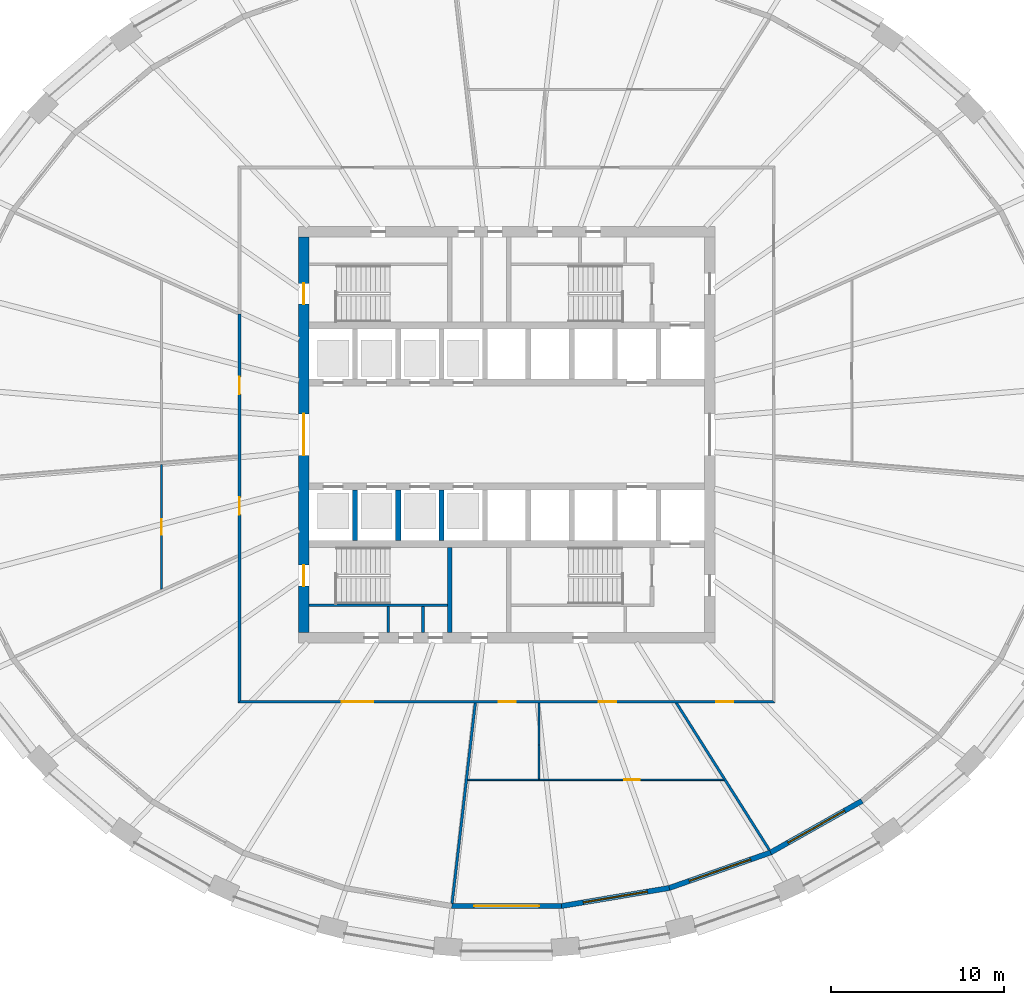
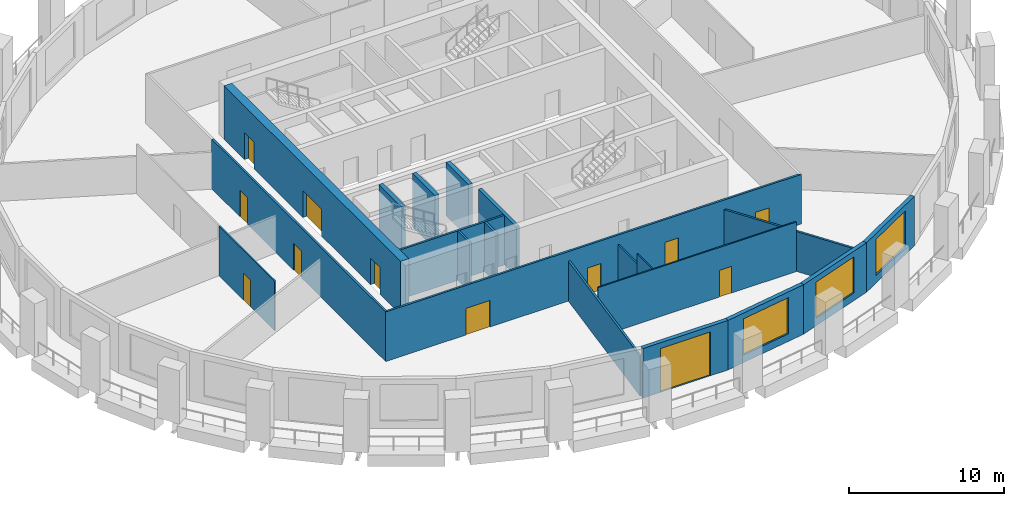
# One storey, part 3 of 10: 20 walls, 12 doors, 3 windows, 15 openings.
"""IFC4 building model written with IfcOpenShell, lengths in metres."""

import ifcopenshell
import ifcopenshell.guid

model = None  # the IFC model being written
_history = None  # IfcOwnerHistory: only IFC2X3 demands one
_inside = {}  # id of a spatial element -> (the spatial element, [elements in it])
_under = {}  # id of a project, library or spatial element -> (it, [spatial elements below it])
_declared = {}  # id of a project -> (the project, [libraries it declares])
_typed = {}  # id of a type object -> (the type object, [elements of that type])
_made_of = {}  # id of a material, layer set ... -> (it, [elements and type objects made of it])


def new_model(schema):
    """Start an empty IFC model of exactly this schema.

    Asked for "IFC4X3", IfcOpenShell would pick the latest addendum, in which some entities
    have other attributes; the version numbers below select the first issue.
    IFC2X3 requires an IfcOwnerHistory on every rooted entity: one is made here for all.
    """
    global model, _history
    if schema == "IFC4X3":
        model = ifcopenshell.file(schema_version=(4, 3, 0, 0))
    else:
        model = ifcopenshell.file(schema=schema)
    _inside.clear()
    _under.clear()
    _declared.clear()
    _typed.clear()
    _made_of.clear()
    _history = None
    if model.schema == "IFC2X3":
        org = make("IfcOrganization", Name="unknown")
        user = make(
            "IfcPersonAndOrganization",
            ThePerson=make("IfcPerson", FamilyName="unknown"),
            TheOrganization=org,
        )
        app = make(
            "IfcApplication",
            ApplicationDeveloper=org,
            Version="unknown",
            ApplicationFullName="unknown",
            ApplicationIdentifier="unknown",
        )
        _history = make(
            "IfcOwnerHistory",
            OwningUser=user,
            OwningApplication=app,
            ChangeAction="ADDED",
            CreationDate=0,
        )
    return model


def make(cls, **values):
    """One entity of the class cls with the attributes given. An attribute that is None is left unset."""
    return model.create_entity(
        cls, **{name: value for name, value in values.items() if value is not None}
    )


def rooted(cls, **values):
    """An entity with a GlobalId (a new one), such as an element, a storey or a relation."""
    return make(cls, GlobalId=ifcopenshell.guid.new(), OwnerHistory=_history, **values)


def si_unit(unit_type, name, prefix=None):
    """IfcSIUnit, for example si_unit("LENGTHUNIT", "METRE", prefix="MILLI")."""
    return make("IfcSIUnit", UnitType=unit_type, Prefix=prefix, Name=name)


def assignment(units):
    """IfcUnitAssignment: the units of a project."""
    return None if units is None else make("IfcUnitAssignment", Units=units)


def point(xyz):
    """IfcCartesianPoint."""
    return None if xyz is None else make("IfcCartesianPoint", Coordinates=xyz)


def direction(xyz):
    """IfcDirection."""
    return None if xyz is None else make("IfcDirection", DirectionRatios=xyz)


def frame(location, z_axis=None, x_axis=None):
    """IfcAxis2Placement3D, a coordinate frame: its origin and axes. An axis left out is left unset."""
    return make(
        "IfcAxis2Placement3D",
        Location=point(location),
        Axis=direction(z_axis),
        RefDirection=direction(x_axis),
    )


def frame_2d(location, x_axis=None):
    """IfcAxis2Placement2D, a coordinate frame in the plane: its origin and x axis."""
    return make(
        "IfcAxis2Placement2D", Location=point(location), RefDirection=direction(x_axis)
    )


def origin():
    """The frame at (0, 0, 0) with its axes left unset."""
    return frame((0.0, 0.0, 0.0))


def place(relative_to, where):
    """IfcLocalPlacement: puts the frame where relative to a parent placement (None: the world)."""
    return make(
        "IfcLocalPlacement", PlacementRelTo=relative_to, RelativePlacement=where
    )


def context(
    kind, dimensions, precision=None, world=None, true_north=None, identifier=None
):
    """IfcGeometricRepresentationContext, for example the 3D "Model" context."""
    return make(
        "IfcGeometricRepresentationContext",
        ContextIdentifier=identifier,
        ContextType=kind,
        CoordinateSpaceDimension=dimensions,
        Precision=precision,
        WorldCoordinateSystem=world,
        TrueNorth=true_north,
    )


def subcontext(parent, identifier, kind, view, scale=None):
    """IfcGeometricRepresentationSubContext, for example "Body" below "Model"."""
    return make(
        "IfcGeometricRepresentationSubContext",
        ContextIdentifier=identifier,
        ContextType=kind,
        ParentContext=parent,
        TargetScale=scale,
        TargetView=view,
    )


def project(units=None, contexts=None):
    """IfcProject with its units and contexts."""
    return rooted(
        "IfcProject",
        Name="project",
        RepresentationContexts=contexts,
        UnitsInContext=assignment(units),
    )


def spatial(cls, under=None, at=None, **own):
    """A site, building, storey or space (cls), placed at a placement, below another one or the project."""
    s = rooted(cls, ObjectPlacement=at, **own)
    if under is not None:
        _under.setdefault(under.id(), (under, []))[1].append(s)
    return s


def polyline(points):
    """IfcPolyline through the points."""
    return make("IfcPolyline", Points=[point(p) for p in points])


def profile(cls, at=None, kind="AREA", **sizes):
    """A parametric profile (cls). Its sizes go by their IFC names, for example OverallWidth=200.0."""
    return make(cls, ProfileType=kind, Position=at, **sizes)


def rectangle(**sizes):
    """IfcRectangleProfileDef."""
    return profile("IfcRectangleProfileDef", **sizes)


def outline(outer, holes=None, kind="AREA"):
    """IfcArbitraryClosedProfileDef: a profile drawn as a closed curve; with holes, ...WithVoids."""
    if holes is None:
        return make("IfcArbitraryClosedProfileDef", ProfileType=kind, OuterCurve=outer)
    return make(
        "IfcArbitraryProfileDefWithVoids",
        ProfileType=kind,
        OuterCurve=outer,
        InnerCurves=holes,
    )


def extrude(swept, where, along, depth):
    """IfcExtrudedAreaSolid: the profile swept, set in the frame where, extruded along a direction by depth."""
    return make(
        "IfcExtrudedAreaSolid",
        SweptArea=swept,
        Position=where,
        ExtrudedDirection=direction(along),
        Depth=depth,
    )


def shape(context_of_items, identifier, shape_type, items):
    """IfcShapeRepresentation: the items that make up one representation, for example the "Body"."""
    return make(
        "IfcShapeRepresentation",
        ContextOfItems=context_of_items,
        RepresentationIdentifier=identifier,
        RepresentationType=shape_type,
        Items=items,
    )


def material(Name=None, Category=None):
    """IfcMaterial."""
    return make("IfcMaterial", Name=Name, Category=Category)


def layer(
    of_material, thickness, ventilated=None, Name=None, Category=None, Priority=None
):
    """IfcMaterialLayer: one layer of a wall or slab, of a material (None: an air gap)."""
    return make(
        "IfcMaterialLayer",
        Material=of_material,
        LayerThickness=thickness,
        IsVentilated=ventilated,
        Name=Name,
        Category=Category,
        Priority=Priority,
    )


def layer_set(layers, Name=None):
    """IfcMaterialLayerSet."""
    return make("IfcMaterialLayerSet", MaterialLayers=layers, LayerSetName=Name)


def made_of(thing, what):
    """Note that an element or type object is made of a material, layer set ...; save() writes the relation."""
    if what is not None:
        _made_of.setdefault(what.id(), (what, []))[1].append(thing)
    return thing


def type_object(cls, material=None, **own):
    """A type object (cls), such as IfcWallType, which elements share."""
    return made_of(rooted(cls, **own), material)


def element(
    cls,
    number,
    at=None,
    inside=None,
    cuts=None,
    type_object=None,
    material=None,
    context=None,
    identifier="Body",
    shape_type=None,
    held_by="IfcProductDefinitionShape",
    body=None,
    shapes=None,
    **own,
):
    """One element of the class cls, such as IfcWall. Its Tag is "e" and its number.

    at: its placement. inside: the storey or other place that contains it. cuts: it is an
    opening in that element (IfcRelVoidsElement). A single representation is given by context,
    identifier, shape_type and body (its items); several are given by shapes. held_by: the class
    of the entity that holds the representations. save() writes the other relations.
    """
    e = rooted(cls, Tag="e%d" % number, ObjectPlacement=at, **own)
    if body is not None:
        shapes = [shape(context, identifier, shape_type, body)]
    if shapes is not None:
        e.Representation = make(held_by, Representations=shapes)
    if inside is not None:
        _inside.setdefault(inside.id(), (inside, []))[1].append(e)
    if cuts is not None:
        rooted(
            "IfcRelVoidsElement", RelatingBuildingElement=cuts, RelatedOpeningElement=e
        )
    if type_object is not None:
        _typed.setdefault(type_object.id(), (type_object, []))[1].append(e)
    return made_of(e, material)


def fill(opening, filler):
    """IfcRelFillsElement: the door or window that sits in an opening."""
    return rooted(
        "IfcRelFillsElement",
        RelatingOpeningElement=opening,
        RelatedBuildingElement=filler,
    )


def aggregate(whole, parts):
    """IfcRelAggregates: a whole, such as a stair, and the parts it consists of."""
    return rooted("IfcRelAggregates", RelatingObject=whole, RelatedObjects=parts)


def save(model, path):
    """Write the relations noted so far, then the file.

    IfcRelAggregates (storeys below a building ...), IfcRelContainedInSpatialStructure (elements
    in a storey), IfcRelDefinesByType, IfcRelAssociatesMaterial and IfcRelDeclares: one each for
    every whole, place, type object, material and project.
    """
    for whole, parts in _under.values():
        aggregate(whole, parts)
    for where, things in _inside.values():
        rooted(
            "IfcRelContainedInSpatialStructure",
            RelatedElements=things,
            RelatingStructure=where,
        )
    for kind, things in _typed.values():
        rooted("IfcRelDefinesByType", RelatedObjects=things, RelatingType=kind)
    for what, things in _made_of.values():
        rooted("IfcRelAssociatesMaterial", RelatedObjects=things, RelatingMaterial=what)
    for by, libraries in _declared.values():
        rooted("IfcRelDeclares", RelatingContext=by, RelatedDefinitions=libraries)
    model.write(path)


model = new_model("IFC4")

# Units and contexts
model_context = context("Model", 3, precision=1e-05, world=origin(), true_north=direction((0.0, 1.0)))
body_context = subcontext(model_context, "Body", "Model", "MODEL_VIEW")
ifc_project = project(units=[si_unit("LENGTHUNIT", "METRE"), si_unit("AREAUNIT", "SQUARE_METRE"), si_unit("VOLUMEUNIT", "CUBIC_METRE"), si_unit("PLANEANGLEUNIT", "RADIAN"), si_unit("MASSUNIT", "GRAM", prefix="KILO")], contexts=[model_context])

# Site, building, storey
site_placement = place(None, origin())
site = spatial("IfcSite", under=ifc_project, at=site_placement, CompositionType="ELEMENT")
building_placement = place(site_placement, origin())
building = spatial("IfcBuilding", under=site, at=building_placement, Name="Halqa Exchange Tower", CompositionType="ELEMENT")
storey_placement = place(building_placement, frame((0.0, 0.0, 125.5)))
storey = spatial("IfcBuildingStorey", under=building, at=storey_placement, Name="L28", CompositionType="ELEMENT", Elevation=125.5)

# Wall, openings, doors
ifc_material_1 = material(Name="Fire-rated gypsum board")
ifc_layer_1 = layer(ifc_material_1, 0.14990234375)
ifc_layer_set_1 = layer_set([ifc_layer_1], Name="Fire-rated gypsum board")
wall_type_1 = type_object("IfcWallType", Name="Fire partition EI 60 150", PredefinedType="PARTITIONING", material=ifc_layer_set_1)
wall_1_placement = place(storey_placement, frame((-15.39990234375, -15.47509765625, 0.0), z_axis=(0.0, 0.0, 1.0), x_axis=(0.0, 1.0, 0.0)))
wall_1 = element("IfcWall", 1, at=wall_1_placement, inside=storey, type_object=wall_type_1, Name="L28-PWL-006", PredefinedType="PARTITIONING", context=body_context, shape_type="SweptSolid", body=[
    extrude(outline(polyline([(22.425048828125, 0.074951171875), (20.556396484375, 0.074951171875), (18.6875, 0.074951171875), (16.81884765625, 0.074951171875), (14.9501953125, 0.074951171875), (13.081298828125, 0.074951171875), (11.212646484375, 0.074951171875), (9.343994140625, 0.074951171875), (7.47509765625, 0.074951171875), (5.6064453125, 0.074951171875), (3.73779296875, 0.074951171875), (1.868896484375, 0.074951171875), (0.000244140625, 0.074951171875), (0.150146484375, -0.074951171875), (2.00634765625, -0.074951171875), (3.862548828125, -0.074951171875), (5.71875, -0.074951171875), (7.5751953125, -0.074951171875), (9.431396484375, -0.074951171875), (11.28759765625, -0.074951171875), (13.143798828125, -0.074951171875), (15.0, -0.074951171875), (16.8564453125, -0.074951171875), (18.712646484375, -0.074951171875), (20.56884765625, -0.074951171875), (22.425048828125, -0.074951171875), (22.425048828125, 0.074951171875)])), origin(), (0.0, 0.0, 1.0), 3.89990234375),
])
opening_1_placement = place(wall_1_placement, frame((17.81005859375, 0.0, 0.0)))
opening_1 = element("IfcOpeningElement", 2, at=opening_1_placement, cuts=wall_1, Name="Opening 08-08", PredefinedType="OPENING", context=body_context, shape_type="SweptSolid", body=[
    extrude(rectangle(XDim=1.0, YDim=2.10009765625, at=frame_2d((0.5, 1.050048828125))), frame((0.0, 0.0869140625, 0.0), z_axis=(0.0, -1.0, 0.0), x_axis=(1.0, 0.0, 0.0)), (0.0, 0.0, 1.0), 0.173828125),
])
opening_2_placement = place(wall_1_placement, frame((10.860107421875, 0.0, 0.0)))
opening_2 = element("IfcOpeningElement", 3, at=opening_2_placement, cuts=wall_1, Name="Opening 08-09", PredefinedType="OPENING", context=body_context, shape_type="SweptSolid", body=[
    extrude(rectangle(XDim=1.0, YDim=2.10009765625, at=frame_2d((0.5, 1.050048828125))), frame((0.0, 0.0869140625, 0.0), z_axis=(0.0, -1.0, 0.0), x_axis=(1.0, 0.0, 0.0)), (0.0, 0.0, 1.0), 0.173828125),
])
ifc_material_2 = material(Name="Steel fire door leaf", Category="steel")
door_type_1 = type_object("IfcDoorType", Name="Fire door FD30S 1000 x 2100", OperationType="SINGLE_SWING_LEFT", PredefinedType="DOOR", material=ifc_material_2)
door_1_placement = place(opening_1_placement, origin())
door_1 = element("IfcDoor", 4, at=door_1_placement, inside=storey, type_object=door_type_1, Name="L28-IDR-008", OperationType="SINGLE_SWING_LEFT", OverallHeight=2.10009765625, OverallWidth=1.0, PredefinedType="DOOR", context=body_context, shape_type="SweptSolid", body=[
    extrude(rectangle(XDim=1.0, YDim=2.10009765625, at=frame_2d((0.5, 1.050048828125))), frame((0.0, 0.02490234375, 0.0), z_axis=(0.0, -1.0, 0.0), x_axis=(1.0, 0.0, 0.0)), (0.0, 0.0, 1.0), 0.050048828125),
])
fill(opening_1, door_1)
door_2_placement = place(opening_2_placement, origin())
door_2 = element("IfcDoor", 5, at=door_2_placement, inside=storey, type_object=door_type_1, Name="L28-IDR-009", OperationType="SINGLE_SWING_LEFT", OverallHeight=2.10009765625, OverallWidth=1.0, PredefinedType="DOOR", context=body_context, shape_type="SweptSolid", body=[
    extrude(rectangle(XDim=1.0, YDim=2.10009765625, at=frame_2d((0.5, 1.050048828125))), frame((0.0, 0.02490234375, 0.0), z_axis=(0.0, -1.0, 0.0), x_axis=(1.0, 0.0, 0.0)), (0.0, 0.0, 1.0), 0.050048828125),
])
fill(opening_2, door_2)

wall_2_placement = place(storey_placement, frame((-15.47509765625, -15.39990234375, 0.0), z_axis=(0.0, 0.0, 1.0), x_axis=(1.0, 0.0, 0.0)))
wall_2 = element("IfcWall", 6, at=wall_2_placement, inside=storey, type_object=wall_type_1, Name="L28-PWL-007", PredefinedType="PARTITIONING", context=body_context, shape_type="SweptSolid", body=[
    extrude(outline(polyline([(0.000244140625, -0.074951171875), (1.9345703125, -0.074951171875), (3.868896484375, -0.074951171875), (5.80322265625, -0.074951171875), (7.73779296875, -0.074951171875), (9.672119140625, -0.074951171875), (11.6064453125, -0.074951171875), (13.540771484375, -0.074951171875), (15.47509765625, -0.074951171875), (17.409423828125, -0.074951171875), (19.34375, -0.074951171875), (21.278076171875, -0.074951171875), (23.21240234375, -0.074951171875), (25.14697265625, -0.074951171875), (27.081298828125, -0.074951171875), (29.015625, -0.074951171875), (30.949951171875, -0.074951171875), (30.800048828125, 0.074951171875), (28.884521484375, 0.074951171875), (26.96875, 0.074951171875), (25.05322265625, 0.074951171875), (23.1376953125, 0.074951171875), (21.221923828125, 0.074951171875), (19.306396484375, 0.074951171875), (17.390625, 0.074951171875), (15.47509765625, 0.074951171875), (13.5595703125, 0.074951171875), (11.643798828125, 0.074951171875), (9.728271484375, 0.074951171875), (7.8125, 0.074951171875), (5.89697265625, 0.074951171875), (3.9814453125, 0.074951171875), (2.065673828125, 0.074951171875), (0.150146484375, 0.074951171875), (0.000244140625, -0.074951171875)])), origin(), (0.0, 0.0, 1.0), 3.89990234375),
])
opening_3_placement = place(wall_2_placement, frame((27.544921875, 0.0, 0.0)))
opening_3 = element("IfcOpeningElement", 7, at=opening_3_placement, cuts=wall_2, Name="Opening 08-01", PredefinedType="OPENING", context=body_context, shape_type="SweptSolid", body=[
    extrude(rectangle(XDim=1.0, YDim=2.10009765625, at=frame_2d((0.5, 1.050048828125))), frame((0.0, 0.0869140625, 0.0), z_axis=(0.0, -1.0, 0.0), x_axis=(1.0, 0.0, 0.0)), (0.0, 0.0, 1.0), 0.173828125),
])
opening_4_placement = place(wall_2_placement, frame((5.97509765625, 0.0, 0.0)))
opening_4 = element("IfcOpeningElement", 8, at=opening_4_placement, cuts=wall_2, Name="Opening 08-10", PredefinedType="OPENING", context=body_context, shape_type="SweptSolid", body=[
    extrude(rectangle(XDim=1.800048828125, YDim=2.10009765625, at=frame_2d((0.89990234375, 1.050048828125))), frame((0.0, 0.0869140625, 0.0), z_axis=(0.0, -1.0, 0.0), x_axis=(1.0, 0.0, 0.0)), (0.0, 0.0, 1.0), 0.173828125),
])
opening_5_placement = place(wall_2_placement, frame((20.780029296875, 0.0, 0.0)))
opening_5 = element("IfcOpeningElement", 9, at=opening_5_placement, cuts=wall_2, Name="Opening 08-11", PredefinedType="OPENING", context=body_context, shape_type="SweptSolid", body=[
    extrude(rectangle(XDim=1.0, YDim=2.10009765625, at=frame_2d((0.5, 1.050048828125))), frame((0.0, 0.0869140625, 0.0), z_axis=(0.0, -1.0, 0.0), x_axis=(1.0, 0.0, 0.0)), (0.0, 0.0, 1.0), 0.173828125),
])
opening_6_placement = place(wall_2_placement, frame((15.010009765625, 0.0, 0.0)))
opening_6 = element("IfcOpeningElement", 10, at=opening_6_placement, cuts=wall_2, Name="Opening 08-12", PredefinedType="OPENING", context=body_context, shape_type="SweptSolid", body=[
    extrude(rectangle(XDim=1.0, YDim=2.10009765625, at=frame_2d((0.5, 1.050048828125))), frame((0.0, 0.0869140625, 0.0), z_axis=(0.0, -1.0, 0.0), x_axis=(1.0, 0.0, 0.0)), (0.0, 0.0, 1.0), 0.173828125),
])
door_3_placement = place(opening_3_placement, frame((1.0, 0.0, 0.0), z_axis=(0.0, 0.0, 1.0), x_axis=(-1.0, 0.0, 0.0)))
door_3 = element("IfcDoor", 11, at=door_3_placement, inside=storey, type_object=door_type_1, Name="L28-IDR-001", OperationType="SINGLE_SWING_LEFT", OverallHeight=2.10009765625, OverallWidth=1.0, PredefinedType="DOOR", context=body_context, shape_type="SweptSolid", body=[
    extrude(rectangle(XDim=1.0, YDim=2.10009765625, at=frame_2d((0.5, 1.050048828125))), frame((0.0, 0.02490234375, 0.0), z_axis=(0.0, -1.0, 0.0), x_axis=(1.0, 0.0, 0.0)), (0.0, 0.0, 1.0), 0.050048828125),
])
fill(opening_3, door_3)
door_4_placement = place(opening_5_placement, frame((1.0, 0.0, 0.0), z_axis=(0.0, 0.0, 1.0), x_axis=(-1.0, 0.0, 0.0)))
door_4 = element("IfcDoor", 12, at=door_4_placement, inside=storey, type_object=door_type_1, Name="L28-IDR-011", OperationType="SINGLE_SWING_LEFT", OverallHeight=2.10009765625, OverallWidth=1.0, PredefinedType="DOOR", context=body_context, shape_type="SweptSolid", body=[
    extrude(rectangle(XDim=1.0, YDim=2.10009765625, at=frame_2d((0.5, 1.050048828125))), frame((0.0, 0.02490234375, 0.0), z_axis=(0.0, -1.0, 0.0), x_axis=(1.0, 0.0, 0.0)), (0.0, 0.0, 1.0), 0.050048828125),
])
fill(opening_5, door_4)
door_5_placement = place(opening_6_placement, frame((1.0, 0.0, 0.0), z_axis=(0.0, 0.0, 1.0), x_axis=(-1.0, 0.0, 0.0)))
door_5 = element("IfcDoor", 13, at=door_5_placement, inside=storey, type_object=door_type_1, Name="L28-IDR-012", OperationType="SINGLE_SWING_LEFT", OverallHeight=2.10009765625, OverallWidth=1.0, PredefinedType="DOOR", context=body_context, shape_type="SweptSolid", body=[
    extrude(rectangle(XDim=1.0, YDim=2.10009765625, at=frame_2d((0.5, 1.050048828125))), frame((0.0, 0.02490234375, 0.0), z_axis=(0.0, -1.0, 0.0), x_axis=(1.0, 0.0, 0.0)), (0.0, 0.0, 1.0), 0.050048828125),
])
fill(opening_6, door_5)
door_type_2 = type_object("IfcDoorType", Name="Fire door FD30S double 1800 x 2100", OperationType="DOUBLE_DOOR_SINGLE_SWING", PredefinedType="DOOR", material=ifc_material_2)
door_6_placement = place(opening_4_placement, frame((1.800048828125, 0.0, 0.0), z_axis=(0.0, 0.0, 1.0), x_axis=(-1.0, 0.0, 0.0)))
door_6 = element("IfcDoor", 14, at=door_6_placement, inside=storey, type_object=door_type_2, Name="L28-IDR-010", OperationType="DOUBLE_DOOR_SINGLE_SWING", OverallHeight=2.10009765625, OverallWidth=1.800048828125, PredefinedType="DOOR", context=body_context, shape_type="SweptSolid", body=[
    extrude(rectangle(XDim=1.800048828125, YDim=2.10009765625, at=frame_2d((0.89990234375, 1.050048828125))), frame((0.0, 0.02490234375, 0.0), z_axis=(0.0, -1.0, 0.0), x_axis=(1.0, 0.0, 0.0)), (0.0, 0.0, 1.0), 0.050048828125),
])
fill(opening_4, door_6)

# Walls
wall_3_placement = place(storey_placement, frame((-3.145263671875, -27.02099609375, 0.0), z_axis=(0.0, 0.0, 1.0), x_axis=(0.115127596958, 0.993350711692, 0.0)))
element("IfcWall", 15, at=wall_3_placement, inside=storey, type_object=wall_type_1, Name="L28-PWL-011", PredefinedType="PARTITIONING", context=body_context, shape_type="SweptSolid", body=[
    extrude(outline(polyline([(0.005615234375, -0.074951171875), (1.808349609375, -0.074951171875), (3.611083984375, -0.074951171875), (5.413818359375, -0.074951171875), (7.216552734375, -0.074951171875), (7.2275390625, -0.07373046875), (7.227783203125, -0.074951171875), (8.695556640625, -0.074951171875), (10.16357421875, -0.074951171875), (11.631591796875, -0.074951171875), (11.631591796875, -0.07177734375), (11.614501953125, 0.074951171875), (9.6787109375, 0.074951171875), (7.7431640625, 0.074951171875), (5.807373046875, 0.074951171875), (3.87158203125, 0.074951171875), (1.935791015625, 0.074951171875), (0.0, 0.074951171875), (0.0, -0.02685546875), (0.005615234375, -0.074951171875)])), origin(), (0.0, 0.0, 1.0), 3.14697265625),
])
wall_4_placement = place(storey_placement, frame((9.76220703125, -15.43505859375, 0.0), z_axis=(0.0, 0.0, 1.0), x_axis=(0.534830284385, -0.844959506074, 0.0)))
element("IfcWall", 16, at=wall_4_placement, inside=storey, type_object=wall_type_1, Name="L28-PWL-018", PredefinedType="PARTITIONING", context=body_context, shape_type="SweptSolid", body=[
    extrude(outline(polyline([(0.0, -0.074951171875), (1.725830078125, -0.074951171875), (3.45166015625, -0.074951171875), (5.177490234375, -0.074951171875), (5.211181640625, -0.021728515625), (5.29541015625, -0.074951171875), (6.882568359375, -0.074951171875), (8.4697265625, -0.074951171875), (10.056884765625, -0.074951171875), (10.056884765625, 0.074951171875), (8.064453125, 0.074951171875), (6.072021484375, 0.074951171875), (4.07958984375, 0.074951171875), (2.087158203125, 0.074951171875), (0.0947265625, 0.074951171875), (0.0, -0.07470703125), (0.0, -0.074951171875)])), origin(), (0.0, 0.0, 1.0), 3.14697265625),
])

# Wall, opening, door
ifc_material_3 = material(Name="Gypsum board")
ifc_layer_2 = layer(ifc_material_3, 0.10009765625)
ifc_layer_set_2 = layer_set([ifc_layer_2], Name="Gypsum board")
wall_type_2 = type_object("IfcWallType", Name="Partition 100 gypsum", PredefinedType="PARTITIONING", material=ifc_layer_set_2)
wall_5_placement = place(storey_placement, frame((-19.89990234375, -8.924072265625, 0.0), z_axis=(0.0, 0.0, 1.0), x_axis=(0.0, 1.0, 0.0)))
wall_5 = element("IfcWall", 17, at=wall_5_placement, inside=storey, type_object=wall_type_2, Name="L28-PWL-004", PredefinedType="PARTITIONING", context=body_context, shape_type="SweptSolid", body=[
    extrude(outline(polyline([(7.197021484375, -0.050048828125), (7.197021484375, -0.04638671875), (7.18896484375, 0.050048828125), (5.3916015625, 0.050048828125), (3.594482421875, 0.050048828125), (1.797119140625, 0.050048828125), (0.0, 0.050048828125), (0.0, 0.049560546875), (0.044921875, -0.050048828125), (1.8330078125, -0.050048828125), (3.62109375, -0.050048828125), (5.408935546875, -0.050048828125), (7.197021484375, -0.050048828125)])), origin(), (0.0, 0.0, 1.0), 3.89990234375),
])
opening_7_placement = place(wall_5_placement, frame((3.154052734375, 0.0, 0.0)))
opening_7 = element("IfcOpeningElement", 18, at=opening_7_placement, cuts=wall_5, Name="Opening 08-16", PredefinedType="OPENING", context=body_context, shape_type="SweptSolid", body=[
    extrude(rectangle(XDim=0.89990234375, YDim=2.10009765625, at=frame_2d((0.449951171875, 1.050048828125))), frame((0.0, 0.06201171875, 0.0), z_axis=(0.0, -1.0, 0.0), x_axis=(1.0, 0.0, 0.0)), (0.0, 0.0, 1.0), 0.1240234375),
])
ifc_material_4 = material(Name="Timber door leaf", Category="wood")
door_type_3 = type_object("IfcDoorType", Name="Door 900 x 2100", OperationType="SINGLE_SWING_LEFT", PredefinedType="DOOR", material=ifc_material_4)
door_7_placement = place(opening_7_placement, frame((0.89990234375, 0.0, 0.0), z_axis=(0.0, 0.0, 1.0), x_axis=(-1.0, 0.0, 0.0)))
door_7 = element("IfcDoor", 19, at=door_7_placement, inside=storey, type_object=door_type_3, Name="L28-IDR-016", OperationType="SINGLE_SWING_RIGHT", OverallHeight=2.10009765625, OverallWidth=0.89990234375, PredefinedType="DOOR", context=body_context, shape_type="SweptSolid", body=[
    extrude(rectangle(XDim=0.89990234375, YDim=2.10009765625, at=frame_2d((0.449951171875, 1.050048828125))), frame((0.0, 0.02490234375, 0.0), z_axis=(0.0, -1.0, 0.0), x_axis=(1.0, 0.0, 0.0)), (0.0, 0.0, 1.0), 0.050048828125),
])
fill(opening_7, door_7)

wall_6_placement = place(storey_placement, frame((-2.25, -19.89990234375, 0.0), z_axis=(0.0, 0.0, 1.0), x_axis=(1.0, 0.0, 0.0)))
wall_6 = element("IfcWall", 20, at=wall_6_placement, inside=storey, type_object=wall_type_2, Name="L28-PWL-012", PredefinedType="PARTITIONING", context=body_context, shape_type="SweptSolid", body=[
    extrude(outline(polyline([(14.781005859375, -0.050048828125), (14.781005859375, -0.0498046875), (14.77001953125, -0.0322265625), (14.77001953125, -0.032470703125), (14.7177734375, 0.050048828125), (12.9599609375, 0.050048828125), (11.201904296875, 0.050048828125), (9.44384765625, 0.050048828125), (7.68603515625, 0.050048828125), (5.927978515625, 0.050048828125), (4.169921875, 0.050048828125), (4.169921875, 0.0498046875), (4.070068359375, 0.0498046875), (4.070068359375, 0.050048828125), (2.717041015625, 0.050048828125), (1.3642578125, 0.050048828125), (0.01123046875, 0.050048828125), (0.0, -0.0478515625), (0.0, -0.050048828125), (1.84765625, -0.050048828125), (3.6953125, -0.050048828125), (5.54296875, -0.050048828125), (7.390625, -0.050048828125), (9.238037109375, -0.050048828125), (11.085693359375, -0.050048828125), (12.933349609375, -0.050048828125), (14.781005859375, -0.050048828125)])), origin(), (0.0, 0.0, 1.0), 3.89990234375),
])
opening_8_placement = place(wall_6_placement, frame((9.030029296875, 0.0, 0.0)))
opening_8 = element("IfcOpeningElement", 21, at=opening_8_placement, cuts=wall_6, Name="Opening 08-17", PredefinedType="OPENING", context=body_context, shape_type="SweptSolid", body=[
    extrude(rectangle(XDim=0.89990234375, YDim=2.10009765625, at=frame_2d((0.449951171875, 1.050048828125))), frame((0.0, 0.06201171875, 0.0), z_axis=(0.0, -1.0, 0.0), x_axis=(1.0, 0.0, 0.0)), (0.0, 0.0, 1.0), 0.1240234375),
])
door_8_placement = place(opening_8_placement, origin())
door_8 = element("IfcDoor", 22, at=door_8_placement, inside=storey, type_object=door_type_3, Name="L28-IDR-017", OperationType="SINGLE_SWING_LEFT", OverallHeight=2.10009765625, OverallWidth=0.89990234375, PredefinedType="DOOR", context=body_context, shape_type="SweptSolid", body=[
    extrude(rectangle(XDim=0.89990234375, YDim=2.10009765625, at=frame_2d((0.449951171875, 1.050048828125))), frame((0.0, 0.02490234375, 0.0), z_axis=(0.0, -1.0, 0.0), x_axis=(1.0, 0.0, 0.0)), (0.0, 0.0, 1.0), 0.050048828125),
])
fill(opening_8, door_8)

# Walls
wall_7_placement = place(storey_placement, frame((1.8701171875, -19.85009765625, 0.0), z_axis=(0.0, 0.0, 1.0), x_axis=(0.0, 1.0, 0.0)))
element("IfcWall", 23, at=wall_7_placement, inside=storey, type_object=wall_type_2, Name="L28-PWL-015", PredefinedType="PARTITIONING", context=body_context, shape_type="SweptSolid", body=[
    extrude(rectangle(XDim=1.960205078125, YDim=0.10009765625, at=frame_2d((0.97998046875, 0.0))), origin(), (0.0, 0.0, 1.0), 3.89990234375),
])
wall_8_placement = place(storey_placement, frame((1.8701171875, -17.889892578125, 0.0), z_axis=(0.0, 0.0, 1.0), x_axis=(0.0, 1.0, 0.0)))
element("IfcWall", 24, at=wall_8_placement, inside=storey, type_object=wall_type_2, Name="L28-PWL-025", PredefinedType="PARTITIONING", context=body_context, shape_type="SweptSolid", body=[
    extrude(rectangle(XDim=2.414794921875, YDim=0.10009765625, at=frame_2d((1.20751953125, 0.0))), origin(), (0.0, 0.0, 1.0), 3.14697265625),
])
ifc_layer_3 = layer(ifc_material_3, 0.14990234375)
ifc_layer_set_3 = layer_set([ifc_layer_3], Name="Gypsum board")
wall_type_3 = type_object("IfcWallType", Name="Penthouse riser wall 150 gypsum", PredefinedType="PARTITIONING", material=ifc_layer_set_3)
for number, where, z_axis, x_axis, name in (
    (25, (-6.824951171875, -11.39990234375, 0.0), (0.0, 0.0, 1.0), (0.0, 1.0, 0.0), "Partition W6.825 S"),
    (26, (-4.824951171875, -11.39990234375, 0.0), (0.0, 0.0, 1.0), (0.0, 1.0, 0.0), "Partition W4.825 S"),
):
    element("IfcWall", number, at=place(storey_placement, frame(where, z_axis=z_axis, x_axis=x_axis)), inside=storey, type_object=wall_type_3, Name=name, PredefinedType="PARTITIONING", context=body_context, shape_type="SweptSolid", body=[
        extrude(rectangle(XDim=1.5, YDim=0.14990234375, at=frame_2d((0.75, 0.0))), origin(), (0.0, 0.0, 1.0), 3.89990234375),
    ])
ifc_material_5 = material(Name="Concrete C60/75", Category="concrete")
ifc_layer_4 = layer(ifc_material_5, 0.300048828125)
ifc_layer_set_4 = layer_set([ifc_layer_4], Name="Concrete C60/75")
wall_type_4 = type_object("IfcWallType", Name="RC core wall 300", PredefinedType="SHEAR", material=ifc_layer_set_4)
for number, where, z_axis, x_axis, name in (
    (27, (-8.75, -6.10009765625, 0.0), (0.0, 0.0, 1.0), (0.0, 1.0, 0.0), "Shaft divider S1"),
    (28, (-6.25, -6.10009765625, 0.0), (0.0, 0.0, 1.0), (0.0, 1.0, 0.0), "Shaft divider S2"),
    (29, (-3.75, -6.10009765625, 0.0), (0.0, 0.0, 1.0), (0.0, 1.0, 0.0), "Shaft divider S3"),
):
    element("IfcWall", number, at=place(storey_placement, frame(where, z_axis=z_axis, x_axis=x_axis)), inside=storey, type_object=wall_type_4, Name=name, PredefinedType="SHEAR", context=body_context, shape_type="SweptSolid", body=[
        extrude(rectangle(XDim=2.900146484375, YDim=0.300048828125, at=frame_2d((1.4501953125, 0.0))), origin(), (0.0, 0.0, 1.0), 4.199951171875),
    ])

# Wall, openings, doors
ifc_material_6 = material(Name="Concrete C70/85", Category="concrete")
ifc_layer_5 = layer(ifc_material_6, 0.60009765625)
ifc_layer_set_5 = layer_set([ifc_layer_5], Name="Concrete C70/85")
wall_type_5 = type_object("IfcWallType", Name="RC core wall 600 C70/85", PredefinedType="SHEAR", material=ifc_layer_set_5)
wall_9_placement = place(storey_placement, frame((-11.699951171875, -11.39990234375, 0.0), z_axis=(0.0, 0.0, 1.0), x_axis=(0.0, 1.0, 0.0)))
wall_9 = element("IfcWall", 30, at=wall_9_placement, inside=storey, type_object=wall_type_5, Name="Core wall west", PredefinedType="SHEAR", context=body_context, shape_type="SweptSolid", body=[
    extrude(rectangle(XDim=22.7998046875, YDim=0.60009765625, at=frame_2d((11.39990234375, 0.0))), origin(), (0.0, 0.0, 1.0), 4.199951171875),
])
opening_9_placement = place(wall_9_placement, frame((10.199951171875, 0.0, 0.0)))
opening_9 = element("IfcOpeningElement", 31, at=opening_9_placement, cuts=wall_9, Name="Opening T08-C13", PredefinedType="OPENING", context=body_context, shape_type="SweptSolid", body=[
    extrude(rectangle(XDim=2.39990234375, YDim=2.10009765625, at=frame_2d((1.199951171875, 1.050048828125))), frame((0.0, 0.31201171875, 0.0), z_axis=(0.0, -1.0, 0.0), x_axis=(1.0, 0.0, 0.0)), (0.0, 0.0, 1.0), 0.6240234375),
])
opening_10_placement = place(wall_9_placement, frame((18.925048828125, 0.0, 0.0)))
opening_10 = element("IfcOpeningElement", 32, at=opening_10_placement, cuts=wall_9, Name="Opening T08-C15", PredefinedType="OPENING", context=body_context, shape_type="SweptSolid", body=[
    extrude(rectangle(XDim=1.199951171875, YDim=2.10009765625, at=frame_2d((0.60009765625, 1.050048828125))), frame((0.0, 0.31201171875, 0.0), z_axis=(0.0, -1.0, 0.0), x_axis=(1.0, 0.0, 0.0)), (0.0, 0.0, 1.0), 0.6240234375),
])
opening_11_placement = place(wall_9_placement, frame((2.675048828125, 0.0, 0.0)))
opening_11 = element("IfcOpeningElement", 33, at=opening_11_placement, cuts=wall_9, Name="Opening T08-C17", PredefinedType="OPENING", context=body_context, shape_type="SweptSolid", body=[
    extrude(rectangle(XDim=1.199951171875, YDim=2.10009765625, at=frame_2d((0.60009765625, 1.050048828125))), frame((0.0, 0.31201171875, 0.0), z_axis=(0.0, -1.0, 0.0), x_axis=(1.0, 0.0, 0.0)), (0.0, 0.0, 1.0), 0.6240234375),
])
door_type_4 = type_object("IfcDoorType", Name="Lobby double door FD60 2400 x 2100", OperationType="DOUBLE_DOOR_SINGLE_SWING", PredefinedType="DOOR", material=ifc_material_2)
door_9_placement = place(opening_9_placement, frame((2.39990234375, 0.0, 0.0), z_axis=(0.0, 0.0, 1.0), x_axis=(-1.0, 0.0, 0.0)))
door_9 = element("IfcDoor", 34, at=door_9_placement, inside=storey, type_object=door_type_4, Name="Lift lobby double door", OperationType="DOUBLE_DOOR_SINGLE_SWING", OverallHeight=2.10009765625, OverallWidth=2.39990234375, PredefinedType="DOOR", context=body_context, shape_type="SweptSolid", body=[
    extrude(rectangle(XDim=2.39990234375, YDim=2.10009765625, at=frame_2d((1.199951171875, 1.050048828125))), frame((0.0, 0.02490234375, 0.0), z_axis=(0.0, -1.0, 0.0), x_axis=(1.0, 0.0, 0.0)), (0.0, 0.0, 1.0), 0.050048828125),
])
fill(opening_9, door_9)
door_type_5 = type_object("IfcDoorType", Name="Stair door FD90 1200 x 2100", OperationType="SINGLE_SWING_LEFT", PredefinedType="DOOR", material=ifc_material_2)
door_10_placement = place(opening_10_placement, frame((1.199951171875, 0.0, 0.0), z_axis=(0.0, 0.0, 1.0), x_axis=(-1.0, 0.0, 0.0)))
door_10 = element("IfcDoor", 35, at=door_10_placement, inside=storey, type_object=door_type_5, Name="Stair door ST1", OperationType="SINGLE_SWING_RIGHT", OverallHeight=2.10009765625, OverallWidth=1.199951171875, PredefinedType="DOOR", context=body_context, shape_type="SweptSolid", body=[
    extrude(rectangle(XDim=1.199951171875, YDim=2.10009765625, at=frame_2d((0.60009765625, 1.050048828125))), frame((0.0, 0.02490234375, 0.0), z_axis=(0.0, -1.0, 0.0), x_axis=(1.0, 0.0, 0.0)), (0.0, 0.0, 1.0), 0.050048828125),
])
fill(opening_10, door_10)
door_11_placement = place(opening_11_placement, frame((1.199951171875, 0.0, 0.0), z_axis=(0.0, 0.0, 1.0), x_axis=(-1.0, 0.0, 0.0)))
door_11 = element("IfcDoor", 36, at=door_11_placement, inside=storey, type_object=door_type_5, Name="Stair door ST3", OperationType="SINGLE_SWING_RIGHT", OverallHeight=2.10009765625, OverallWidth=1.199951171875, PredefinedType="DOOR", context=body_context, shape_type="SweptSolid", body=[
    extrude(rectangle(XDim=1.199951171875, YDim=2.10009765625, at=frame_2d((0.60009765625, 1.050048828125))), frame((0.0, 0.02490234375, 0.0), z_axis=(0.0, -1.0, 0.0), x_axis=(1.0, 0.0, 0.0)), (0.0, 0.0, 1.0), 0.050048828125),
])
fill(opening_11, door_11)

# Walls
ifc_material_7 = material(Name="Concrete C30/37", Category="concrete")
ifc_layer_6 = layer(ifc_material_7, 0.14990234375)
ifc_layer_set_6 = layer_set([ifc_layer_6], Name="Concrete C30/37")
wall_type_6 = type_object("IfcWallType", Name="RC stair wall 150 C30/37", PredefinedType="SHEAR", material=ifc_layer_set_6)
wall_10_placement = place(storey_placement, frame((-11.39990234375, -9.824951171875, 0.0), z_axis=(0.0, 0.0, 1.0), x_axis=(1.0, 0.0, 0.0)))
element("IfcWall", 37, at=wall_10_placement, inside=storey, type_object=wall_type_6, Name="Stair ST1 north wall S", PredefinedType="SHEAR", context=body_context, shape_type="SweptSolid", body=[
    extrude(rectangle(XDim=8.0, YDim=0.14990234375, at=frame_2d((4.0, 0.0))), origin(), (0.0, 0.0, 1.0), 3.89990234375),
])
ifc_layer_7 = layer(ifc_material_7, 0.25)
ifc_layer_set_7 = layer_set([ifc_layer_7], Name="Concrete C30/37")
wall_type_7 = type_object("IfcWallType", Name="RC stair wall 250 C30/37", PredefinedType="SHEAR", material=ifc_layer_set_7)
wall_11_placement = place(storey_placement, frame((-3.27490234375, -11.39990234375, 0.0), z_axis=(0.0, 0.0, 1.0), x_axis=(0.0, 1.0, 0.0)))
element("IfcWall", 38, at=wall_11_placement, inside=storey, type_object=wall_type_7, Name="Stair ST1 east wall S", PredefinedType="SHEAR", context=body_context, shape_type="SweptSolid", body=[
    extrude(rectangle(XDim=4.89990234375, YDim=0.25, at=frame_2d((2.449951171875, 0.0))), origin(), (0.0, 0.0, 1.0), 3.89990234375),
])

# Wall, opening, door
ifc_material_8 = material(Name="Limestone cladding", Category="masonry")
ifc_layer_8 = layer(ifc_material_8, 0.0400390625)
ifc_material_9 = material(Name="Ventilated cavity")
ifc_layer_9 = layer(ifc_material_9, 0.030029296875, ventilated=True)
ifc_material_10 = material(Name="Mineral wool insulation")
ifc_layer_10 = layer(ifc_material_10, 0.10009765625)
ifc_layer_11 = layer(ifc_material_7, 0.10009765625)
ifc_material_11 = material(Name="Internal plaster")
ifc_layer_12 = layer(ifc_material_11, 0.030029296875)
ifc_layer_set_8 = layer_set([ifc_layer_8, ifc_layer_9, ifc_layer_10, ifc_layer_11, ifc_layer_12], Name="Stone-faced insulated wall 300")
wall_type_8 = type_object("IfcWallType", Name="Stone-faced insulated wall 300", PredefinedType="STANDARD", material=ifc_layer_set_8)
wall_12_placement = place(storey_placement, frame((-3.16357421875, -27.174072265625, 0.0), z_axis=(0.0, 0.0, 1.0), x_axis=(1.0, 0.0, 0.0)))
wall_12 = element("IfcWall", 39, at=wall_12_placement, inside=storey, type_object=wall_type_8, Name="Glass-line wall 24", PredefinedType="STANDARD", context=body_context, shape_type="SweptSolid", body=[
    extrude(outline(polyline([(-0.012451171875, -0.14990234375), (6.339599609375, -0.14990234375), (6.314697265625, 0.14990234375), (0.012451171875, 0.14990234375), (-0.012451171875, -0.14990234375)])), origin(), (0.0, 0.0, 1.0), 3.89990234375),
])
opening_12_placement = place(wall_12_placement, frame((1.28857421875, 0.0, 0.0)))
opening_12 = element("IfcOpeningElement", 40, at=opening_12_placement, cuts=wall_12, Name="Opening LG-F2-06", PredefinedType="OPENING", context=body_context, shape_type="SweptSolid", body=[
    extrude(rectangle(XDim=3.75, YDim=3.449951171875, at=frame_2d((1.875, 1.72509765625))), frame((0.0, 0.162109375, 0.0), z_axis=(0.0, -1.0, 0.0), x_axis=(1.0, 0.0, 0.0)), (0.0, 0.0, 1.0), 0.323974609375),
])
ifc_material_12 = material(Name="Clear low-emissivity glass in aluminium frame", Category="aluminium")
door_type_6 = type_object("IfcDoorType", Name="Glazed sliding loggia door 3750 x 3450", OperationType="DOUBLE_DOOR_SLIDING", PredefinedType="DOOR", material=ifc_material_12)
door_12_placement = place(opening_12_placement, origin())
door_12 = element("IfcDoor", 41, at=door_12_placement, inside=storey, type_object=door_type_6, Name="Loggia door 6", OperationType="DOUBLE_DOOR_SLIDING", OverallHeight=3.449951171875, OverallWidth=3.75, PredefinedType="DOOR", context=body_context, shape_type="SweptSolid", body=[
    extrude(rectangle(XDim=3.75, YDim=3.449951171875, at=frame_2d((1.875, 1.72509765625))), frame((0.0, 0.02490234375, 0.0), z_axis=(0.0, -1.0, 0.0), x_axis=(1.0, 0.0, 0.0)), (0.0, 0.0, 1.0), 0.050048828125),
])
fill(opening_12, door_12)

# Wall, opening, window
wall_13_placement = place(storey_placement, frame((3.16357421875, -27.174072265625, 0.0), z_axis=(0.0, 0.0, 1.0), x_axis=(0.986176011722, 0.165701158427, 0.0)))
wall_13 = element("IfcWall", 42, at=wall_13_placement, inside=storey, type_object=wall_type_8, Name="Glass-line wall 25", PredefinedType="STANDARD", context=body_context, shape_type="SweptSolid", body=[
    extrude(outline(polyline([(-0.012451171875, -0.14990234375), (6.305419921875, -0.14990234375), (6.280029296875, 0.14990234375), (0.012451171875, 0.14990234375), (-0.012451171875, -0.14990234375)])), origin(), (0.0, 0.0, 1.0), 3.89990234375),
])
opening_13_placement = place(wall_13_placement, frame((1.271484375, 0.0, 0.60009765625)))
opening_13 = element("IfcOpeningElement", 43, at=opening_13_placement, cuts=wall_13, Name="Opening W-F2-25", PredefinedType="OPENING", context=body_context, shape_type="SweptSolid", body=[
    extrude(rectangle(XDim=3.75, YDim=2.85009765625, at=frame_2d((1.875, 1.425048828125))), frame((0.0, 0.162109375, 0.0), z_axis=(0.0, -1.0, 0.0), x_axis=(1.0, 0.0, 0.0)), (0.0, 0.0, 1.0), 0.323974609375),
])
window_type = type_object("IfcWindowType", Name="Fixed clear glazed window 3750 x 2850", PartitioningType="TRIPLE_PANEL_VERTICAL", PredefinedType="WINDOW", material=ifc_material_12)
window_1_placement = place(opening_13_placement, origin())
window_1 = element("IfcWindow", 44, at=window_1_placement, inside=storey, type_object=window_type, Name="Window 2", OverallHeight=2.85009765625, OverallWidth=3.75, PartitioningType="TRIPLE_PANEL_VERTICAL", PredefinedType="WINDOW", context=body_context, shape_type="SweptSolid", body=[
    extrude(rectangle(XDim=3.75, YDim=2.85009765625, at=frame_2d((1.875, 1.425048828125))), frame((0.0, 0.030029296875, 0.0), z_axis=(0.0, -1.0, 0.0), x_axis=(1.0, 0.0, 0.0)), (0.0, 0.0, 1.0), 0.06005859375),
])
fill(opening_13, window_1)

wall_14_placement = place(storey_placement, frame((9.369384765625, -26.13134765625, 0.0), z_axis=(0.0, 0.0, 1.0), x_axis=(0.94389706045, 0.330239820849, 0.0)))
wall_14 = element("IfcWall", 45, at=wall_14_placement, inside=storey, type_object=wall_type_8, Name="Glass-line wall 26", PredefinedType="STANDARD", context=body_context, shape_type="SweptSolid", body=[
    extrude(outline(polyline([(-0.0126953125, -0.14990234375), (6.207763671875, -0.14990234375), (6.180908203125, 0.14990234375), (0.0126953125, 0.14990234375), (-0.0126953125, -0.14990234375)])), origin(), (0.0, 0.0, 1.0), 3.89990234375),
])
opening_14_placement = place(wall_14_placement, frame((1.22216796875, 0.0, 0.60009765625)))
opening_14 = element("IfcOpeningElement", 46, at=opening_14_placement, cuts=wall_14, Name="Opening W-F2-26", PredefinedType="OPENING", context=body_context, shape_type="SweptSolid", body=[
    extrude(rectangle(XDim=3.75, YDim=2.85009765625, at=frame_2d((1.875, 1.425048828125))), frame((0.0, 0.162109375, 0.0), z_axis=(0.0, -1.0, 0.0), x_axis=(1.0, 0.0, 0.0)), (0.0, 0.0, 1.0), 0.323974609375),
])
window_2_placement = place(opening_14_placement, origin())
window_2 = element("IfcWindow", 47, at=window_2_placement, inside=storey, type_object=window_type, Name="Window 2", OverallHeight=2.85009765625, OverallWidth=3.75, PartitioningType="TRIPLE_PANEL_VERTICAL", PredefinedType="WINDOW", context=body_context, shape_type="SweptSolid", body=[
    extrude(rectangle(XDim=3.75, YDim=2.85009765625, at=frame_2d((1.875, 1.425048828125))), frame((0.0, 0.030029296875, 0.0), z_axis=(0.0, -1.0, 0.0), x_axis=(1.0, 0.0, 0.0)), (0.0, 0.0, 1.0), 0.06005859375),
])
fill(opening_14, window_2)

wall_15_placement = place(storey_placement, frame((15.21630859375, -24.085693359375, 0.0), z_axis=(0.0, 0.0, 1.0), x_axis=(0.870858332497, 0.491534093142, 0.0)))
wall_15 = element("IfcWall", 48, at=wall_15_placement, inside=storey, type_object=wall_type_8, Name="Glass-line wall 27", PredefinedType="STANDARD", context=body_context, shape_type="SweptSolid", body=[
    extrude(outline(polyline([(-0.013427734375, -0.14990234375), (6.058349609375, -0.14990234375), (6.030029296875, 0.14990234375), (0.013427734375, 0.14990234375), (-0.013427734375, -0.14990234375)])), origin(), (0.0, 0.0, 1.0), 3.89990234375),
])
opening_15_placement = place(wall_15_placement, frame((1.147216796875, 0.0, 0.60009765625)))
opening_15 = element("IfcOpeningElement", 49, at=opening_15_placement, cuts=wall_15, Name="Opening W-F2-27", PredefinedType="OPENING", context=body_context, shape_type="SweptSolid", body=[
    extrude(rectangle(XDim=3.75, YDim=2.85009765625, at=frame_2d((1.875, 1.425048828125))), frame((0.0, 0.162109375, 0.0), z_axis=(0.0, -1.0, 0.0), x_axis=(1.0, 0.0, 0.0)), (0.0, 0.0, 1.0), 0.323974609375),
])
window_3_placement = place(opening_15_placement, origin())
window_3 = element("IfcWindow", 50, at=window_3_placement, inside=storey, type_object=window_type, Name="Window 2", OverallHeight=2.85009765625, OverallWidth=3.75, PartitioningType="TRIPLE_PANEL_VERTICAL", PredefinedType="WINDOW", context=body_context, shape_type="SweptSolid", body=[
    extrude(rectangle(XDim=3.75, YDim=2.85009765625, at=frame_2d((1.875, 1.425048828125))), frame((0.0, 0.030029296875, 0.0), z_axis=(0.0, -1.0, 0.0), x_axis=(1.0, 0.0, 0.0)), (0.0, 0.0, 1.0), 0.06005859375),
])
fill(opening_15, window_3)

save(model, "model.ifc")
